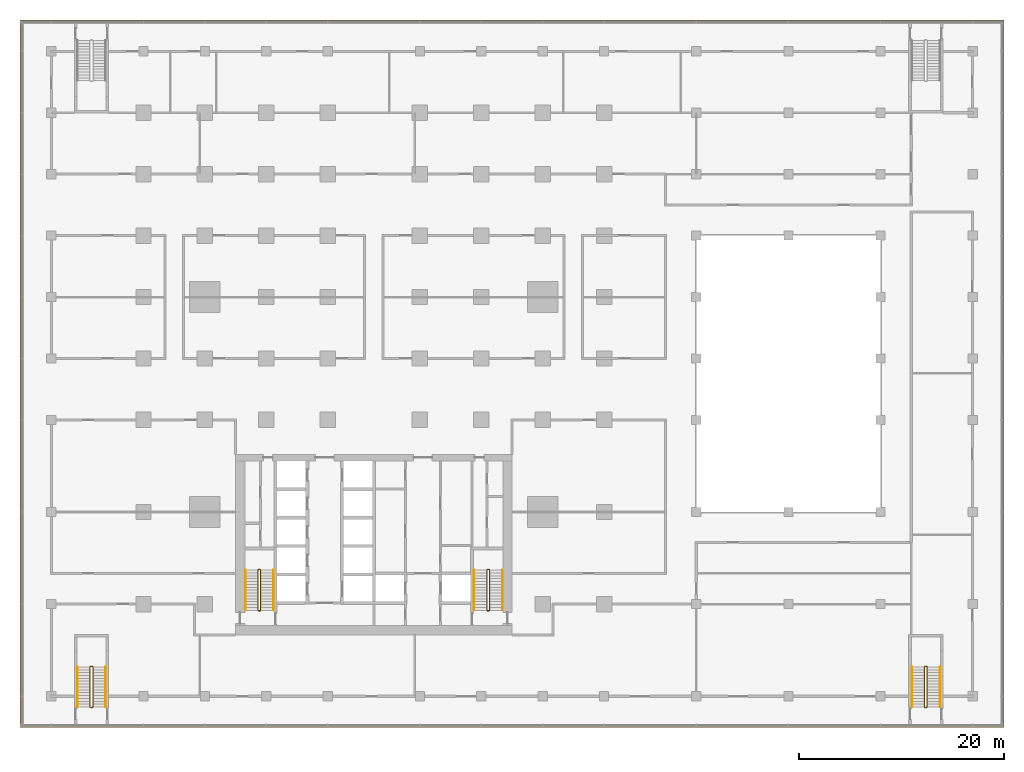
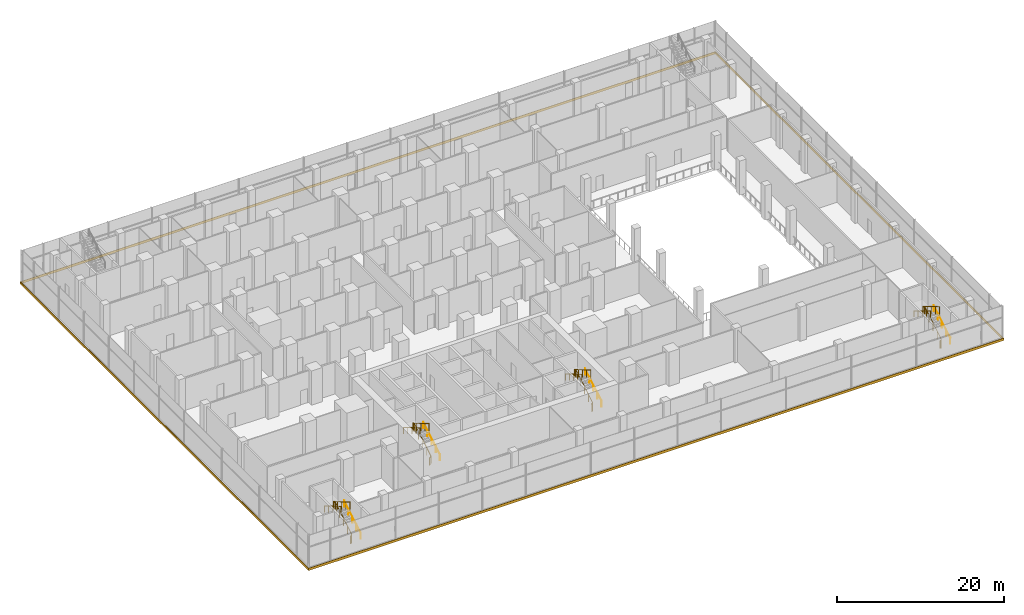
# One storey, part 21 of 22: 12 railings, 1 covering.
"""IFC4 building model written with IfcOpenShell, lengths in metres."""

from ifc_helpers import new_model, si_unit, direction, frame, origin, origin_2d, place, context, subcontext, project, spatial, polyline, circle, outline, extrude, material, layer, layer_set, type_object, element, save


model = new_model("IFC4")

# Units and contexts
model_context = context("Model", 3, precision=1e-05, world=origin(), true_north=direction((0.0, 1.0)))
body_context = subcontext(model_context, "Body", "Model", "MODEL_VIEW")
ifc_project = project(units=[si_unit("LENGTHUNIT", "METRE"), si_unit("AREAUNIT", "SQUARE_METRE"), si_unit("VOLUMEUNIT", "CUBIC_METRE"), si_unit("PLANEANGLEUNIT", "RADIAN"), si_unit("MASSUNIT", "GRAM", prefix="KILO")], contexts=[model_context])

# Site, building, storey
site_placement = place(None, origin())
site = spatial("IfcSite", under=ifc_project, at=site_placement, CompositionType="ELEMENT")
building_placement = place(site_placement, origin())
building = spatial("IfcBuilding", under=site, at=building_placement, Name="Finial Court Residences", CompositionType="ELEMENT")
storey_placement = place(building_placement, frame((0.0, 0.0, 18.5)))
storey = spatial("IfcBuildingStorey", under=building, at=storey_placement, Name="L03", CompositionType="ELEMENT", Elevation=18.5)

# Covering
ifc_material_1 = material(Name="Pale limestone", Category="masonry")
ifc_layer = layer(ifc_material_1, 0.06005859375)
ifc_layer_set = layer_set([ifc_layer], Name="Pale limestone slab-edge band 60")
covering_type = type_object("IfcCoveringType", Name="Pale limestone slab-edge band 60", PredefinedType="CLADDING", material=ifc_layer_set)
covering_placement = place(storey_placement, frame((0.0, 0.0, -0.35009765625)))
element("IfcCovering", 1, at=covering_placement, inside=storey, type_object=covering_type, Name="E-L03-BAND1", PredefinedType="CLADDING", context=body_context, shape_type="SweptSolid", body=[
    extrude(outline(polyline([(-34.56005859375, 34.56005859375), (61.56005859375, 34.56005859375), (61.56005859375, -34.56005859375), (-34.56005859375, -34.56005859375), (-34.56005859375, 34.56005859375)]), holes=[polyline([(61.5, -34.5), (61.5, 34.5), (-34.5, 34.5), (-34.5, -34.5), (61.5, -34.5)])]), origin(), (0.0, 0.0, 1.0), 0.35009765625),
])

# Railings
ifc_material_2 = material(Name="Stainless steel railing", Category="steel")
railing_type_1 = type_object("IfcRailingType", Name="Stair guard 1100", PredefinedType="GUARDRAIL", material=ifc_material_2)
railing_1_placement = place(storey_placement, frame((-11.10009765625, -23.14990234375, 0.0)))
element("IfcRailing", 2, at=railing_1_placement, inside=storey, type_object=railing_type_1, Name="L03 ST-1 stair guard 1", PredefinedType="GUARDRAIL", context=body_context, shape_type="SweptSolid", body=[
    extrude(circle(Radius=0.02392578125, at=origin_2d()), frame((0.0, 0.0, 1.076171875), z_axis=(-1.0, 0.0, 0.0), x_axis=(0.0, -1.0, 0.0)), (0.0, 0.0, 1.0), 0.14990234375),
    extrude(circle(Radius=0.02392578125, at=origin_2d()), frame((-0.14990234375, 0.0, 1.076171875), z_axis=(0.754313153044, 0.1878875253, 0.629054802844), x_axis=(-0.241699205484, 0.970351222016, 0.0)), (0.0, 0.0, 1.0), 0.26513671875),
    extrude(circle(Radius=0.02392578125, at=origin_2d()), frame((0.050048828125, 0.0498046875, 1.24267578125), z_axis=(0.0, 0.859310244771, 0.511454693235), x_axis=(-1.0, 0.0, 0.0)), (0.0, 0.0, 1.0), 4.56201171875),
    extrude(circle(Radius=0.02392578125, at=origin_2d()), frame((0.050048828125, 3.969970703125, 3.576171875), z_axis=(-0.707106781187, 0.707106781187, 0.0), x_axis=(-0.707106781187, -0.707106781187, 0.0)), (0.0, 0.0, 1.0), 0.07080078125),
    extrude(circle(Radius=0.02392578125, at=origin_2d()), frame((0.0, 4.02001953125, 3.576171875), z_axis=(-1.0, 0.0, 0.0), x_axis=(0.0, -1.0, 0.0)), (0.0, 0.0, 1.0), 0.14990234375),
    extrude(circle(Radius=0.02392578125, at=origin_2d()), frame((-0.14990234375, 4.02001953125, 3.576171875), z_axis=(-0.27628659633, -0.27628659633, 0.920506074601), x_axis=(0.707106781187, -0.707106781187, 0.0)), (0.0, 0.0, 1.0), 0.18115234375),
    extrude(circle(Radius=0.02392578125, at=origin_2d()), frame((-0.199951171875, 3.969970703125, 3.74267578125), z_axis=(0.0, -0.859310244771, 0.511454693235), x_axis=(1.0, 0.0, 0.0)), (0.0, 0.0, 1.0), 4.56201171875),
    extrude(circle(Radius=0.02099609375, at=origin_2d()), origin(), (0.0, 0.0, 1.0), 1.052001953125),
    extrude(circle(Radius=0.02099609375, at=origin_2d()), frame((-0.14990234375, 0.0, 0.0)), (0.0, 0.0, 1.0), 1.052001953125),
    extrude(circle(Radius=0.02099609375, at=origin_2d()), frame((0.050048828125, 0.0498046875, 0.166748046875)), (0.0, 0.0, 1.0), 1.052001953125),
    extrude(circle(Radius=0.02099609375, at=origin_2d()), frame((0.050048828125, 1.02978515625, 0.75)), (0.0, 0.0, 1.0), 1.052001953125),
    extrude(circle(Radius=0.02099609375, at=origin_2d()), frame((0.050048828125, 2.009765625, 1.33349609375)), (0.0, 0.0, 1.0), 1.052001953125),
    extrude(circle(Radius=0.02099609375, at=origin_2d()), frame((0.050048828125, 2.989990234375, 1.916748046875)), (0.0, 0.0, 1.0), 1.052001953125),
    extrude(circle(Radius=0.02099609375, at=origin_2d()), frame((0.050048828125, 3.969970703125, 2.5)), (0.0, 0.0, 1.0), 1.052001953125),
    extrude(circle(Radius=0.02099609375, at=origin_2d()), frame((0.0, 4.02001953125, 2.5)), (0.0, 0.0, 1.0), 1.052001953125),
    extrude(circle(Radius=0.02099609375, at=origin_2d()), frame((-0.14990234375, 4.02001953125, 2.5)), (0.0, 0.0, 1.0), 1.052001953125),
    extrude(circle(Radius=0.02099609375, at=origin_2d()), frame((-0.199951171875, 3.969970703125, 2.666748046875)), (0.0, 0.0, 1.0), 1.052001953125),
    extrude(circle(Radius=0.02099609375, at=origin_2d()), frame((-0.199951171875, 2.989990234375, 3.25)), (0.0, 0.0, 1.0), 1.052001953125),
    extrude(circle(Radius=0.02099609375, at=origin_2d()), frame((-0.199951171875, 2.009765625, 3.83349609375)), (0.0, 0.0, 1.0), 1.052001953125),
    extrude(circle(Radius=0.02099609375, at=origin_2d()), frame((-0.199951171875, 1.02978515625, 4.416748046875)), (0.0, 0.0, 1.0), 1.052001953125),
    extrude(circle(Radius=0.02099609375, at=origin_2d()), frame((-0.199951171875, 0.0498046875, 5.0)), (0.0, 0.0, 1.0), 1.052001953125),
])
railing_2_placement = place(storey_placement, frame((11.25, -23.14990234375, 0.0)))
element("IfcRailing", 3, at=railing_2_placement, inside=storey, type_object=railing_type_1, Name="L03 ST-2 stair guard 1", PredefinedType="GUARDRAIL", context=body_context, shape_type="SweptSolid", body=[
    extrude(circle(Radius=0.02392578125, at=origin_2d()), frame((0.0, 0.0, 1.076171875), z_axis=(-1.0, 0.0, 0.0), x_axis=(0.0, -1.0, 0.0)), (0.0, 0.0, 1.0), 0.14990234375),
    extrude(circle(Radius=0.02392578125, at=origin_2d()), frame((-0.14990234375, 0.0, 1.076171875), z_axis=(0.754313153044, 0.1878875253, 0.629054802844), x_axis=(-0.241699205484, 0.970351222016, 0.0)), (0.0, 0.0, 1.0), 0.26513671875),
    extrude(circle(Radius=0.02392578125, at=origin_2d()), frame((0.050048828125, 0.0498046875, 1.24267578125), z_axis=(0.0, 0.859310244771, 0.511454693235), x_axis=(-1.0, 0.0, 0.0)), (0.0, 0.0, 1.0), 4.56201171875),
    extrude(circle(Radius=0.02392578125, at=origin_2d()), frame((0.050048828125, 3.969970703125, 3.576171875), z_axis=(-0.707106781187, 0.707106781187, 0.0), x_axis=(-0.707106781187, -0.707106781187, 0.0)), (0.0, 0.0, 1.0), 0.07080078125),
    extrude(circle(Radius=0.02392578125, at=origin_2d()), frame((0.0, 4.02001953125, 3.576171875), z_axis=(-1.0, 0.0, 0.0), x_axis=(0.0, -1.0, 0.0)), (0.0, 0.0, 1.0), 0.14990234375),
    extrude(circle(Radius=0.02392578125, at=origin_2d()), frame((-0.14990234375, 4.02001953125, 3.576171875), z_axis=(-0.27628659633, -0.27628659633, 0.920506074601), x_axis=(0.707106781187, -0.707106781187, 0.0)), (0.0, 0.0, 1.0), 0.18115234375),
    extrude(circle(Radius=0.02392578125, at=origin_2d()), frame((-0.199951171875, 3.969970703125, 3.74267578125), z_axis=(0.0, -0.859310244771, 0.511454693235), x_axis=(1.0, 0.0, 0.0)), (0.0, 0.0, 1.0), 4.56201171875),
    extrude(circle(Radius=0.02099609375, at=origin_2d()), origin(), (0.0, 0.0, 1.0), 1.052001953125),
    extrude(circle(Radius=0.02099609375, at=origin_2d()), frame((-0.14990234375, 0.0, 0.0)), (0.0, 0.0, 1.0), 1.052001953125),
    extrude(circle(Radius=0.02099609375, at=origin_2d()), frame((0.050048828125, 0.0498046875, 0.166748046875)), (0.0, 0.0, 1.0), 1.052001953125),
    extrude(circle(Radius=0.02099609375, at=origin_2d()), frame((0.050048828125, 1.02978515625, 0.75)), (0.0, 0.0, 1.0), 1.052001953125),
    extrude(circle(Radius=0.02099609375, at=origin_2d()), frame((0.050048828125, 2.009765625, 1.33349609375)), (0.0, 0.0, 1.0), 1.052001953125),
    extrude(circle(Radius=0.02099609375, at=origin_2d()), frame((0.050048828125, 2.989990234375, 1.916748046875)), (0.0, 0.0, 1.0), 1.052001953125),
    extrude(circle(Radius=0.02099609375, at=origin_2d()), frame((0.050048828125, 3.969970703125, 2.5)), (0.0, 0.0, 1.0), 1.052001953125),
    extrude(circle(Radius=0.02099609375, at=origin_2d()), frame((0.0, 4.02001953125, 2.5)), (0.0, 0.0, 1.0), 1.052001953125),
    extrude(circle(Radius=0.02099609375, at=origin_2d()), frame((-0.14990234375, 4.02001953125, 2.5)), (0.0, 0.0, 1.0), 1.052001953125),
    extrude(circle(Radius=0.02099609375, at=origin_2d()), frame((-0.199951171875, 3.969970703125, 2.666748046875)), (0.0, 0.0, 1.0), 1.052001953125),
    extrude(circle(Radius=0.02099609375, at=origin_2d()), frame((-0.199951171875, 2.989990234375, 3.25)), (0.0, 0.0, 1.0), 1.052001953125),
    extrude(circle(Radius=0.02099609375, at=origin_2d()), frame((-0.199951171875, 2.009765625, 3.83349609375)), (0.0, 0.0, 1.0), 1.052001953125),
    extrude(circle(Radius=0.02099609375, at=origin_2d()), frame((-0.199951171875, 1.02978515625, 4.416748046875)), (0.0, 0.0, 1.0), 1.052001953125),
    extrude(circle(Radius=0.02099609375, at=origin_2d()), frame((-0.199951171875, 0.0498046875, 5.0)), (0.0, 0.0, 1.0), 1.052001953125),
])
railing_3_placement = place(storey_placement, frame((54.0, -32.60009765625, 0.0)))
element("IfcRailing", 4, at=railing_3_placement, inside=storey, type_object=railing_type_1, Name="L03 ST-3 stair guard 1", PredefinedType="GUARDRAIL", context=body_context, shape_type="SweptSolid", body=[
    extrude(circle(Radius=0.02392578125, at=origin_2d()), frame((0.0, 0.0, 1.076171875), z_axis=(-1.0, 0.0, 0.0), x_axis=(0.0, -1.0, 0.0)), (0.0, 0.0, 1.0), 0.14990234375),
    extrude(circle(Radius=0.02392578125, at=origin_2d()), frame((-0.14990234375, 0.0, 1.076171875), z_axis=(0.754182335027, 0.188775798145, 0.628945707965), x_axis=(-0.242814311512, 0.970072785993, 0.0)), (0.0, 0.0, 1.0), 0.26513671875),
    extrude(circle(Radius=0.02392578125, at=origin_2d()), frame((0.050048828125, 0.050048828125, 1.24267578125), z_axis=(0.0, 0.859310244771, 0.511454693235), x_axis=(-1.0, 0.0, 0.0)), (0.0, 0.0, 1.0), 4.56201171875),
    extrude(circle(Radius=0.02392578125, at=origin_2d()), frame((0.050048828125, 3.97021484375, 3.576171875), z_axis=(-0.708833529934, 0.705375805398, 0.0), x_axis=(-0.705375805398, -0.708833529934, 0.0)), (0.0, 0.0, 1.0), 0.070556640625),
    extrude(circle(Radius=0.02392578125, at=origin_2d()), frame((0.0, 4.02001953125, 3.576171875), z_axis=(-1.0, 0.0, 0.0), x_axis=(0.0, -1.0, 0.0)), (0.0, 0.0, 1.0), 0.14990234375),
    extrude(circle(Radius=0.02392578125, at=origin_2d()), frame((-0.14990234375, 4.02001953125, 3.576171875), z_axis=(-0.276389281352, -0.275041040955, 0.920848191041), x_axis=(0.705375805398, -0.708833529934, 0.0)), (0.0, 0.0, 1.0), 0.18115234375),
    extrude(circle(Radius=0.02392578125, at=origin_2d()), frame((-0.199951171875, 3.97021484375, 3.74267578125), z_axis=(0.0, -0.859310244771, 0.511454693235), x_axis=(1.0, 0.0, 0.0)), (0.0, 0.0, 1.0), 4.56201171875),
    extrude(circle(Radius=0.02099609375, at=origin_2d()), origin(), (0.0, 0.0, 1.0), 1.052001953125),
    extrude(circle(Radius=0.02099609375, at=origin_2d()), frame((-0.14990234375, 0.0, 0.0)), (0.0, 0.0, 1.0), 1.052001953125),
    extrude(circle(Radius=0.02099609375, at=origin_2d()), frame((0.050048828125, 0.050048828125, 0.166748046875)), (0.0, 0.0, 1.0), 1.052001953125),
    extrude(circle(Radius=0.02099609375, at=origin_2d()), frame((0.050048828125, 1.030029296875, 0.75)), (0.0, 0.0, 1.0), 1.052001953125),
    extrude(circle(Radius=0.02099609375, at=origin_2d()), frame((0.050048828125, 2.01025390625, 1.33349609375)), (0.0, 0.0, 1.0), 1.052001953125),
    extrude(circle(Radius=0.02099609375, at=origin_2d()), frame((0.050048828125, 2.990234375, 1.916748046875)), (0.0, 0.0, 1.0), 1.052001953125),
    extrude(circle(Radius=0.02099609375, at=origin_2d()), frame((0.050048828125, 3.97021484375, 2.5)), (0.0, 0.0, 1.0), 1.052001953125),
    extrude(circle(Radius=0.02099609375, at=origin_2d()), frame((0.0, 4.02001953125, 2.5)), (0.0, 0.0, 1.0), 1.052001953125),
    extrude(circle(Radius=0.02099609375, at=origin_2d()), frame((-0.14990234375, 4.02001953125, 2.5)), (0.0, 0.0, 1.0), 1.052001953125),
    extrude(circle(Radius=0.02099609375, at=origin_2d()), frame((-0.199951171875, 3.97021484375, 2.666748046875)), (0.0, 0.0, 1.0), 1.052001953125),
    extrude(circle(Radius=0.02099609375, at=origin_2d()), frame((-0.199951171875, 2.990234375, 3.25)), (0.0, 0.0, 1.0), 1.052001953125),
    extrude(circle(Radius=0.02099609375, at=origin_2d()), frame((-0.199951171875, 2.01025390625, 3.83349609375)), (0.0, 0.0, 1.0), 1.052001953125),
    extrude(circle(Radius=0.02099609375, at=origin_2d()), frame((-0.199951171875, 1.030029296875, 4.416748046875)), (0.0, 0.0, 1.0), 1.052001953125),
    extrude(circle(Radius=0.02099609375, at=origin_2d()), frame((-0.199951171875, 0.050048828125, 5.0)), (0.0, 0.0, 1.0), 1.052001953125),
])
railing_4_placement = place(storey_placement, frame((-27.5, -32.60009765625, 0.0)))
element("IfcRailing", 5, at=railing_4_placement, inside=storey, type_object=railing_type_1, Name="L03 ST-4 stair guard 1", PredefinedType="GUARDRAIL", context=body_context, shape_type="SweptSolid", body=[
    extrude(circle(Radius=0.02392578125, at=origin_2d()), frame((0.0, 0.0, 1.076171875), z_axis=(-1.0, 0.0, 0.0), x_axis=(0.0, -1.0, 0.0)), (0.0, 0.0, 1.0), 0.14990234375),
    extrude(circle(Radius=0.02392578125, at=origin_2d()), frame((-0.14990234375, 0.0, 1.076171875), z_axis=(0.754182335027, 0.188775798145, 0.628945707965), x_axis=(-0.242814311512, 0.970072785993, 0.0)), (0.0, 0.0, 1.0), 0.26513671875),
    extrude(circle(Radius=0.02392578125, at=origin_2d()), frame((0.050048828125, 0.050048828125, 1.24267578125), z_axis=(0.0, 0.859310244771, 0.511454693235), x_axis=(-1.0, 0.0, 0.0)), (0.0, 0.0, 1.0), 4.56201171875),
    extrude(circle(Radius=0.02392578125, at=origin_2d()), frame((0.050048828125, 3.97021484375, 3.576171875), z_axis=(-0.708833529934, 0.705375805398, 0.0), x_axis=(-0.705375805398, -0.708833529934, 0.0)), (0.0, 0.0, 1.0), 0.070556640625),
    extrude(circle(Radius=0.02392578125, at=origin_2d()), frame((0.0, 4.02001953125, 3.576171875), z_axis=(-1.0, 0.0, 0.0), x_axis=(0.0, -1.0, 0.0)), (0.0, 0.0, 1.0), 0.14990234375),
    extrude(circle(Radius=0.02392578125, at=origin_2d()), frame((-0.14990234375, 4.02001953125, 3.576171875), z_axis=(-0.276389281352, -0.275041040955, 0.920848191041), x_axis=(0.705375805398, -0.708833529934, 0.0)), (0.0, 0.0, 1.0), 0.18115234375),
    extrude(circle(Radius=0.02392578125, at=origin_2d()), frame((-0.199951171875, 3.97021484375, 3.74267578125), z_axis=(0.0, -0.859310244771, 0.511454693235), x_axis=(1.0, 0.0, 0.0)), (0.0, 0.0, 1.0), 4.56201171875),
    extrude(circle(Radius=0.02099609375, at=origin_2d()), origin(), (0.0, 0.0, 1.0), 1.052001953125),
    extrude(circle(Radius=0.02099609375, at=origin_2d()), frame((-0.14990234375, 0.0, 0.0)), (0.0, 0.0, 1.0), 1.052001953125),
    extrude(circle(Radius=0.02099609375, at=origin_2d()), frame((0.050048828125, 0.050048828125, 0.166748046875)), (0.0, 0.0, 1.0), 1.052001953125),
    extrude(circle(Radius=0.02099609375, at=origin_2d()), frame((0.050048828125, 1.030029296875, 0.75)), (0.0, 0.0, 1.0), 1.052001953125),
    extrude(circle(Radius=0.02099609375, at=origin_2d()), frame((0.050048828125, 2.01025390625, 1.33349609375)), (0.0, 0.0, 1.0), 1.052001953125),
    extrude(circle(Radius=0.02099609375, at=origin_2d()), frame((0.050048828125, 2.990234375, 1.916748046875)), (0.0, 0.0, 1.0), 1.052001953125),
    extrude(circle(Radius=0.02099609375, at=origin_2d()), frame((0.050048828125, 3.97021484375, 2.5)), (0.0, 0.0, 1.0), 1.052001953125),
    extrude(circle(Radius=0.02099609375, at=origin_2d()), frame((0.0, 4.02001953125, 2.5)), (0.0, 0.0, 1.0), 1.052001953125),
    extrude(circle(Radius=0.02099609375, at=origin_2d()), frame((-0.14990234375, 4.02001953125, 2.5)), (0.0, 0.0, 1.0), 1.052001953125),
    extrude(circle(Radius=0.02099609375, at=origin_2d()), frame((-0.199951171875, 3.97021484375, 2.666748046875)), (0.0, 0.0, 1.0), 1.052001953125),
    extrude(circle(Radius=0.02099609375, at=origin_2d()), frame((-0.199951171875, 2.990234375, 3.25)), (0.0, 0.0, 1.0), 1.052001953125),
    extrude(circle(Radius=0.02099609375, at=origin_2d()), frame((-0.199951171875, 2.01025390625, 3.83349609375)), (0.0, 0.0, 1.0), 1.052001953125),
    extrude(circle(Radius=0.02099609375, at=origin_2d()), frame((-0.199951171875, 1.030029296875, 4.416748046875)), (0.0, 0.0, 1.0), 1.052001953125),
    extrude(circle(Radius=0.02099609375, at=origin_2d()), frame((-0.199951171875, 0.050048828125, 5.0)), (0.0, 0.0, 1.0), 1.052001953125),
])
railing_type_2 = type_object("IfcRailingType", Name="Stair handrail 900", PredefinedType="HANDRAIL", material=ifc_material_2)
railing_5_placement = place(storey_placement, frame((-9.800048828125, -23.10009765625, 0.166748046875)))
element("IfcRailing", 6, at=railing_5_placement, inside=storey, type_object=railing_type_2, Name="L03 ST-1 stair handrail 1", PredefinedType="HANDRAIL", context=body_context, shape_type="SweptSolid", body=[
    extrude(circle(Radius=0.02392578125, at=origin_2d()), frame((0.0, 0.0, 0.8759765625), z_axis=(0.0, 0.859310244771, 0.511454693235), x_axis=(-1.0, 0.0, 0.0)), (0.0, 0.0, 1.0), 4.56201171875),
    extrude(circle(Radius=0.02099609375, at=origin_2d()), origin(), (0.0, 0.0, 1.0), 0.851806640625),
    extrude(circle(Radius=0.02099609375, at=origin_2d()), frame((0.0, 0.97998046875, 0.583251953125)), (0.0, 0.0, 1.0), 0.851806640625),
    extrude(circle(Radius=0.02099609375, at=origin_2d()), frame((0.0, 1.9599609375, 1.16650390625)), (0.0, 0.0, 1.0), 0.851806640625),
    extrude(circle(Radius=0.02099609375, at=origin_2d()), frame((0.0, 2.940185546875, 1.75)), (0.0, 0.0, 1.0), 0.851806640625),
    extrude(circle(Radius=0.02099609375, at=origin_2d()), frame((0.0, 3.920166015625, 2.333251953125)), (0.0, 0.0, 1.0), 0.851806640625),
])
railing_6_placement = place(storey_placement, frame((-12.550048828125, -19.179931640625, 2.666748046875)))
element("IfcRailing", 7, at=railing_6_placement, inside=storey, type_object=railing_type_2, Name="L03 ST-1 stair handrail 2", PredefinedType="HANDRAIL", context=body_context, shape_type="SweptSolid", body=[
    extrude(circle(Radius=0.02392578125, at=origin_2d()), frame((0.0, 0.0, 0.8759765625), z_axis=(0.0, -0.859310244771, 0.511454693235), x_axis=(1.0, 0.0, 0.0)), (0.0, 0.0, 1.0), 4.56201171875),
    extrude(circle(Radius=0.02099609375, at=origin_2d()), origin(), (0.0, 0.0, 1.0), 0.851806640625),
    extrude(circle(Radius=0.02099609375, at=origin_2d()), frame((0.0, -0.97998046875, 0.583251953125)), (0.0, 0.0, 1.0), 0.851806640625),
    extrude(circle(Radius=0.02099609375, at=origin_2d()), frame((0.0, -1.9599609375, 1.16650390625)), (0.0, 0.0, 1.0), 0.851806640625),
    extrude(circle(Radius=0.02099609375, at=origin_2d()), frame((0.0, -2.940185546875, 1.75)), (0.0, 0.0, 1.0), 0.851806640625),
    extrude(circle(Radius=0.02099609375, at=origin_2d()), frame((0.0, -3.920166015625, 2.333251953125)), (0.0, 0.0, 1.0), 0.851806640625),
])
railing_7_placement = place(storey_placement, frame((12.550048828125, -23.10009765625, 0.166748046875)))
element("IfcRailing", 8, at=railing_7_placement, inside=storey, type_object=railing_type_2, Name="L03 ST-2 stair handrail 1", PredefinedType="HANDRAIL", context=body_context, shape_type="SweptSolid", body=[
    extrude(circle(Radius=0.02392578125, at=origin_2d()), frame((0.0, 0.0, 0.8759765625), z_axis=(0.0, 0.859310244771, 0.511454693235), x_axis=(-1.0, 0.0, 0.0)), (0.0, 0.0, 1.0), 4.56201171875),
    extrude(circle(Radius=0.02099609375, at=origin_2d()), origin(), (0.0, 0.0, 1.0), 0.851806640625),
    extrude(circle(Radius=0.02099609375, at=origin_2d()), frame((0.0, 0.97998046875, 0.583251953125)), (0.0, 0.0, 1.0), 0.851806640625),
    extrude(circle(Radius=0.02099609375, at=origin_2d()), frame((0.0, 1.9599609375, 1.16650390625)), (0.0, 0.0, 1.0), 0.851806640625),
    extrude(circle(Radius=0.02099609375, at=origin_2d()), frame((0.0, 2.940185546875, 1.75)), (0.0, 0.0, 1.0), 0.851806640625),
    extrude(circle(Radius=0.02099609375, at=origin_2d()), frame((0.0, 3.920166015625, 2.333251953125)), (0.0, 0.0, 1.0), 0.851806640625),
])
railing_8_placement = place(storey_placement, frame((9.800048828125, -19.179931640625, 2.666748046875)))
element("IfcRailing", 9, at=railing_8_placement, inside=storey, type_object=railing_type_2, Name="L03 ST-2 stair handrail 2", PredefinedType="HANDRAIL", context=body_context, shape_type="SweptSolid", body=[
    extrude(circle(Radius=0.02392578125, at=origin_2d()), frame((0.0, 0.0, 0.8759765625), z_axis=(0.0, -0.859310244771, 0.511454693235), x_axis=(1.0, 0.0, 0.0)), (0.0, 0.0, 1.0), 4.56201171875),
    extrude(circle(Radius=0.02099609375, at=origin_2d()), origin(), (0.0, 0.0, 1.0), 0.851806640625),
    extrude(circle(Radius=0.02099609375, at=origin_2d()), frame((0.0, -0.97998046875, 0.583251953125)), (0.0, 0.0, 1.0), 0.851806640625),
    extrude(circle(Radius=0.02099609375, at=origin_2d()), frame((0.0, -1.9599609375, 1.16650390625)), (0.0, 0.0, 1.0), 0.851806640625),
    extrude(circle(Radius=0.02099609375, at=origin_2d()), frame((0.0, -2.940185546875, 1.75)), (0.0, 0.0, 1.0), 0.851806640625),
    extrude(circle(Radius=0.02099609375, at=origin_2d()), frame((0.0, -3.920166015625, 2.333251953125)), (0.0, 0.0, 1.0), 0.851806640625),
])
railing_9_placement = place(storey_placement, frame((55.300048828125, -32.550048828125, 0.166748046875)))
element("IfcRailing", 10, at=railing_9_placement, inside=storey, type_object=railing_type_2, Name="L03 ST-3 stair handrail 1", PredefinedType="HANDRAIL", context=body_context, shape_type="SweptSolid", body=[
    extrude(circle(Radius=0.02392578125, at=origin_2d()), frame((0.0, 0.0, 0.8759765625), z_axis=(0.0, 0.859310244771, 0.511454693235), x_axis=(-1.0, 0.0, 0.0)), (0.0, 0.0, 1.0), 4.56201171875),
    extrude(circle(Radius=0.02099609375, at=origin_2d()), origin(), (0.0, 0.0, 1.0), 0.851806640625),
    extrude(circle(Radius=0.02099609375, at=origin_2d()), frame((0.0, 0.97998046875, 0.583251953125)), (0.0, 0.0, 1.0), 0.851806640625),
    extrude(circle(Radius=0.02099609375, at=origin_2d()), frame((0.0, 1.9599609375, 1.16650390625)), (0.0, 0.0, 1.0), 0.851806640625),
    extrude(circle(Radius=0.02099609375, at=origin_2d()), frame((0.0, 2.940185546875, 1.75)), (0.0, 0.0, 1.0), 0.851806640625),
    extrude(circle(Radius=0.02099609375, at=origin_2d()), frame((0.0, 3.920166015625, 2.333251953125)), (0.0, 0.0, 1.0), 0.851806640625),
])
railing_10_placement = place(storey_placement, frame((52.550048828125, -28.6298828125, 2.666748046875)))
element("IfcRailing", 11, at=railing_10_placement, inside=storey, type_object=railing_type_2, Name="L03 ST-3 stair handrail 2", PredefinedType="HANDRAIL", context=body_context, shape_type="SweptSolid", body=[
    extrude(circle(Radius=0.02392578125, at=origin_2d()), frame((0.0, 0.0, 0.8759765625), z_axis=(0.0, -0.859310244771, 0.511454693235), x_axis=(1.0, 0.0, 0.0)), (0.0, 0.0, 1.0), 4.56201171875),
    extrude(circle(Radius=0.02099609375, at=origin_2d()), origin(), (0.0, 0.0, 1.0), 0.851806640625),
    extrude(circle(Radius=0.02099609375, at=origin_2d()), frame((0.0, -0.97998046875, 0.583251953125)), (0.0, 0.0, 1.0), 0.851806640625),
    extrude(circle(Radius=0.02099609375, at=origin_2d()), frame((0.0, -1.9599609375, 1.16650390625)), (0.0, 0.0, 1.0), 0.851806640625),
    extrude(circle(Radius=0.02099609375, at=origin_2d()), frame((0.0, -2.940185546875, 1.75)), (0.0, 0.0, 1.0), 0.851806640625),
    extrude(circle(Radius=0.02099609375, at=origin_2d()), frame((0.0, -3.920166015625, 2.333251953125)), (0.0, 0.0, 1.0), 0.851806640625),
])
railing_11_placement = place(storey_placement, frame((-26.199951171875, -32.550048828125, 0.166748046875)))
element("IfcRailing", 12, at=railing_11_placement, inside=storey, type_object=railing_type_2, Name="L03 ST-4 stair handrail 1", PredefinedType="HANDRAIL", context=body_context, shape_type="SweptSolid", body=[
    extrude(circle(Radius=0.02392578125, at=origin_2d()), frame((0.0, 0.0, 0.8759765625), z_axis=(0.0, 0.859310244771, 0.511454693235), x_axis=(-1.0, 0.0, 0.0)), (0.0, 0.0, 1.0), 4.56201171875),
    extrude(circle(Radius=0.02099609375, at=origin_2d()), origin(), (0.0, 0.0, 1.0), 0.851806640625),
    extrude(circle(Radius=0.02099609375, at=origin_2d()), frame((0.0, 0.97998046875, 0.583251953125)), (0.0, 0.0, 1.0), 0.851806640625),
    extrude(circle(Radius=0.02099609375, at=origin_2d()), frame((0.0, 1.9599609375, 1.16650390625)), (0.0, 0.0, 1.0), 0.851806640625),
    extrude(circle(Radius=0.02099609375, at=origin_2d()), frame((0.0, 2.940185546875, 1.75)), (0.0, 0.0, 1.0), 0.851806640625),
    extrude(circle(Radius=0.02099609375, at=origin_2d()), frame((0.0, 3.920166015625, 2.333251953125)), (0.0, 0.0, 1.0), 0.851806640625),
])
railing_12_placement = place(storey_placement, frame((-28.949951171875, -28.6298828125, 2.666748046875)))
element("IfcRailing", 13, at=railing_12_placement, inside=storey, type_object=railing_type_2, Name="L03 ST-4 stair handrail 2", PredefinedType="HANDRAIL", context=body_context, shape_type="SweptSolid", body=[
    extrude(circle(Radius=0.02392578125, at=origin_2d()), frame((0.0, 0.0, 0.8759765625), z_axis=(0.0, -0.859310244771, 0.511454693235), x_axis=(1.0, 0.0, 0.0)), (0.0, 0.0, 1.0), 4.56201171875),
    extrude(circle(Radius=0.02099609375, at=origin_2d()), origin(), (0.0, 0.0, 1.0), 0.851806640625),
    extrude(circle(Radius=0.02099609375, at=origin_2d()), frame((0.0, -0.97998046875, 0.583251953125)), (0.0, 0.0, 1.0), 0.851806640625),
    extrude(circle(Radius=0.02099609375, at=origin_2d()), frame((0.0, -1.9599609375, 1.16650390625)), (0.0, 0.0, 1.0), 0.851806640625),
    extrude(circle(Radius=0.02099609375, at=origin_2d()), frame((0.0, -2.940185546875, 1.75)), (0.0, 0.0, 1.0), 0.851806640625),
    extrude(circle(Radius=0.02099609375, at=origin_2d()), frame((0.0, -3.920166015625, 2.333251953125)), (0.0, 0.0, 1.0), 0.851806640625),
])

save(model, "model.ifc")
